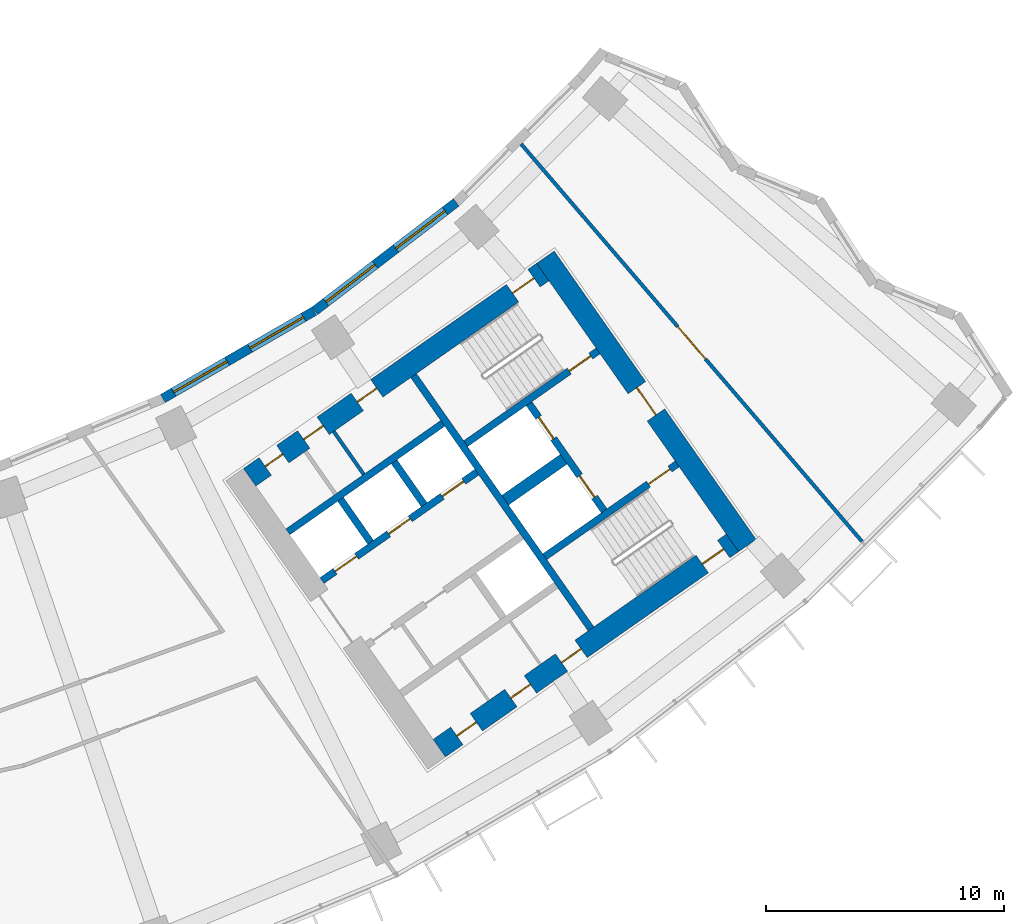
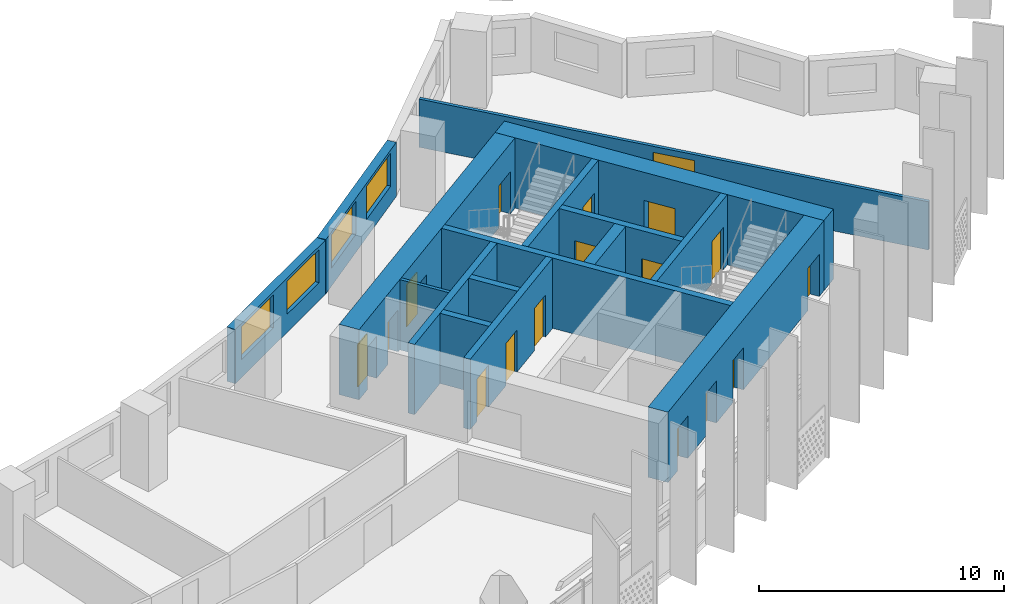
# One storey, part 7 of 30: 17 doors, 16 walls, 4 windows, 21 openings.
"""IFC4 building model written with IfcOpenShell, lengths in metres."""

from ifc_helpers import new_model, si_unit, direction, frame, frame_2d, origin, place, context, subcontext, project, spatial, rectangle, extrude, material, layer, layer_set, type_object, element, fill, save


model = new_model("IFC4")

# Units and contexts
model_context = context("Model", 3, precision=1e-05, world=origin(), true_north=direction((0.0, 1.0)))
body_context = subcontext(model_context, "Body", "Model", "MODEL_VIEW")
ifc_project = project(units=[si_unit("LENGTHUNIT", "METRE"), si_unit("AREAUNIT", "SQUARE_METRE"), si_unit("VOLUMEUNIT", "CUBIC_METRE"), si_unit("PLANEANGLEUNIT", "RADIAN"), si_unit("MASSUNIT", "GRAM", prefix="KILO")], contexts=[model_context])

# Site, building, storey
site_placement = place(None, origin())
site = spatial("IfcSite", under=ifc_project, at=site_placement, CompositionType="ELEMENT")
building_placement = place(site_placement, origin())
building = spatial("IfcBuilding", under=site, at=building_placement, Name="Qamariyya Broadcast Tower", CompositionType="ELEMENT")
storey_placement = place(building_placement, frame((0.0, 0.0, 102.5)))
storey = spatial("IfcBuildingStorey", under=building, at=storey_placement, Name="L22", CompositionType="ELEMENT", Elevation=102.5)

# Wall, opening, door
ifc_material_1 = material(Name="Concrete C70/85", Category="concrete")
ifc_layer_1 = layer(ifc_material_1, 0.89990234375)
ifc_layer_set_1 = layer_set([ifc_layer_1], Name="Core wall 900 mm Concrete C70/85")
wall_type_1 = type_object("IfcWallType", Name="Core wall 900 mm Concrete C70/85", PredefinedType="SHEAR", material=ifc_layer_set_1)
wall_1_placement = place(storey_placement, frame((49.778564453125, -57.191162109375, 0.0), z_axis=(0.0, 0.0, 1.0), x_axis=(-0.573577477574, 0.819151315216, 0.0)))
wall_1 = element("IfcWall", 1, at=wall_1_placement, inside=storey, type_object=wall_type_1, Name="k-E-L22-WH", PredefinedType="SHEAR", context=body_context, shape_type="SweptSolid", body=[
    extrude(rectangle(XDim=14.800048828125, YDim=0.89990234375, at=frame_2d((7.39990234375, 0.0))), origin(), (0.0, 0.0, 1.0), 3.5),
])
opening_1_placement = place(wall_1_placement, frame((6.699951171875, 0.0, 0.0)))
opening_1 = element("IfcOpeningElement", 2, at=opening_1_placement, cuts=wall_1, Name="Opening KD2-E1", PredefinedType="OPENING", context=body_context, shape_type="SweptSolid", body=[
    extrude(rectangle(XDim=1.39990234375, YDim=2.10009765625, at=frame_2d((0.699951171875, 1.050048828125))), frame((0.0, 0.4599609375, 0.0), z_axis=(0.0, -1.0, 0.0), x_axis=(1.0, 0.0, 0.0)), (0.0, 0.0, 1.0), 0.919921875),
])
ifc_material_2 = material(Name="Steel fire-resisting door leaf", Category="steel")
door_type_1 = type_object("IfcDoorType", Name="Fire-fighting lobby door KD2", OperationType="DOUBLE_DOOR_SINGLE_SWING", PredefinedType="DOOR", material=ifc_material_2)
door_1_placement = place(opening_1_placement, origin())
door_1 = element("IfcDoor", 3, at=door_1_placement, inside=storey, type_object=door_type_1, Name="k-E-L22-WH-D15", OperationType="DOUBLE_DOOR_SINGLE_SWING", OverallHeight=2.10009765625, OverallWidth=1.39990234375, PredefinedType="DOOR", context=body_context, shape_type="SweptSolid", body=[
    extrude(rectangle(XDim=1.39990234375, YDim=2.10009765625, at=frame_2d((0.699951171875, 1.050048828125))), frame((0.0, 0.02490234375, 0.0), z_axis=(0.0, -1.0, 0.0), x_axis=(1.0, 0.0, 0.0)), (0.0, 0.0, 1.0), 0.050048828125),
])
fill(opening_1, door_1)

# Wall, openings, doors
wall_2_placement = place(storey_placement, frame((28.8544921875, -54.32421875, 0.0), z_axis=(0.0, 0.0, 1.0), x_axis=(0.819145767589, 0.573585400304, 0.0)))
wall_2 = element("IfcWall", 4, at=wall_2_placement, inside=storey, type_object=wall_type_1, Name="k-E-L22-WI", PredefinedType="SHEAR", context=body_context, shape_type="SweptSolid", body=[
    extrude(rectangle(XDim=15.04541015625, YDim=0.89990234375, at=frame_2d((7.522705078125, 0.0))), origin(), (0.0, 0.0, 1.0), 3.5),
])
opening_2_placement = place(wall_2_placement, frame((0.800048828125, 0.0, 0.0)))
opening_2 = element("IfcOpeningElement", 5, at=opening_2_placement, cuts=wall_2, Name="Opening KD5-E1", PredefinedType="OPENING", context=body_context, shape_type="SweptSolid", body=[
    extrude(rectangle(XDim=0.89990234375, YDim=2.10009765625, at=frame_2d((0.449951171875, 1.050048828125))), frame((0.0, 0.4599609375, 0.0), z_axis=(0.0, -1.0, 0.0), x_axis=(1.0, 0.0, 0.0)), (0.0, 0.0, 1.0), 0.919921875),
])
opening_3_placement = place(wall_2_placement, frame((2.77490234375, 0.0, 0.0)))
opening_3 = element("IfcOpeningElement", 6, at=opening_3_placement, cuts=wall_2, Name="Opening KD7-E1", PredefinedType="OPENING", context=body_context, shape_type="SweptSolid", body=[
    extrude(rectangle(XDim=1.0, YDim=2.10009765625, at=frame_2d((0.5, 1.050048828125))), frame((0.0, 0.4599609375, 0.0), z_axis=(0.0, -1.0, 0.0), x_axis=(1.0, 0.0, 0.0)), (0.0, 0.0, 1.0), 0.919921875),
])
opening_4_placement = place(wall_2_placement, frame((5.52490234375, 0.0, 0.0)))
opening_4 = element("IfcOpeningElement", 7, at=opening_4_placement, cuts=wall_2, Name="Opening KD6-E2", PredefinedType="OPENING", context=body_context, shape_type="SweptSolid", body=[
    extrude(rectangle(XDim=1.0, YDim=2.10009765625, at=frame_2d((0.5, 1.050048828125))), frame((0.0, 0.4599609375, 0.0), z_axis=(0.0, -1.0, 0.0), x_axis=(1.0, 0.0, 0.0)), (0.0, 0.0, 1.0), 0.919921875),
])
opening_5_placement = place(wall_2_placement, frame((13.495361328125, 0.0, 0.0)))
opening_5 = element("IfcOpeningElement", 8, at=opening_5_placement, cuts=wall_2, Name="Opening KD1-E1", PredefinedType="OPENING", context=body_context, shape_type="SweptSolid", body=[
    extrude(rectangle(XDim=1.10009765625, YDim=2.10009765625, at=frame_2d((0.550048828125, 1.050048828125))), frame((0.0, 0.4599609375, 0.0), z_axis=(0.0, -1.0, 0.0), x_axis=(1.0, 0.0, 0.0)), (0.0, 0.0, 1.0), 0.919921875),
])
door_type_2 = type_object("IfcDoorType", Name="Accessible toilet door KD7", OperationType="SINGLE_SWING_LEFT", PredefinedType="DOOR", material=ifc_material_2)
door_2_placement = place(opening_3_placement, origin())
door_2 = element("IfcDoor", 9, at=door_2_placement, inside=storey, type_object=door_type_2, Name="k-E-L22-WI-D8", OperationType="SINGLE_SWING_RIGHT", OverallHeight=2.10009765625, OverallWidth=1.0, PredefinedType="DOOR", context=body_context, shape_type="SweptSolid", body=[
    extrude(rectangle(XDim=1.0, YDim=2.10009765625, at=frame_2d((0.5, 1.050048828125))), frame((0.0, 0.02490234375, 0.0), z_axis=(0.0, -1.0, 0.0), x_axis=(1.0, 0.0, 0.0)), (0.0, 0.0, 1.0), 0.050048828125),
])
fill(opening_3, door_2)
door_type_3 = type_object("IfcDoorType", Name="Core room door KD6", OperationType="SINGLE_SWING_LEFT", PredefinedType="DOOR", material=ifc_material_2)
door_3_placement = place(opening_4_placement, origin())
door_3 = element("IfcDoor", 10, at=door_3_placement, inside=storey, type_object=door_type_3, Name="k-E-L22-WI-D9", OperationType="SINGLE_SWING_LEFT", OverallHeight=2.10009765625, OverallWidth=1.0, PredefinedType="DOOR", context=body_context, shape_type="SweptSolid", body=[
    extrude(rectangle(XDim=1.0, YDim=2.10009765625, at=frame_2d((0.5, 1.050048828125))), frame((0.0, 0.02490234375, 0.0), z_axis=(0.0, -1.0, 0.0), x_axis=(1.0, 0.0, 0.0)), (0.0, 0.0, 1.0), 0.050048828125),
])
fill(opening_4, door_3)
door_type_4 = type_object("IfcDoorType", Name="Stair door KD1", OperationType="SINGLE_SWING_LEFT", PredefinedType="DOOR", material=ifc_material_2)
door_4_placement = place(opening_5_placement, origin())
door_4 = element("IfcDoor", 11, at=door_4_placement, inside=storey, type_object=door_type_4, Name="k-E-L22-WI-D16", OperationType="SINGLE_SWING_RIGHT", OverallHeight=2.10009765625, OverallWidth=1.10009765625, PredefinedType="DOOR", context=body_context, shape_type="SweptSolid", body=[
    extrude(rectangle(XDim=1.10009765625, YDim=2.10009765625, at=frame_2d((0.550048828125, 1.050048828125))), frame((0.0, 0.02490234375, 0.0), z_axis=(0.0, -1.0, 0.0), x_axis=(1.0, 0.0, 0.0)), (0.0, 0.0, 1.0), 0.050048828125),
])
fill(opening_5, door_4)
door_type_5 = type_object("IfcDoorType", Name="Toilet door KD5", OperationType="SINGLE_SWING_LEFT", PredefinedType="DOOR", material=ifc_material_2)
door_5_placement = place(opening_2_placement, origin())
door_5 = element("IfcDoor", 12, at=door_5_placement, inside=storey, type_object=door_type_5, Name="k-E-L22-WI-D7", OperationType="SINGLE_SWING_LEFT", OverallHeight=2.10009765625, OverallWidth=0.89990234375, PredefinedType="DOOR", context=body_context, shape_type="SweptSolid", body=[
    extrude(rectangle(XDim=0.89990234375, YDim=2.10009765625, at=frame_2d((0.449951171875, 1.050048828125))), frame((0.0, 0.02490234375, 0.0), z_axis=(0.0, -1.0, 0.0), x_axis=(1.0, 0.0, 0.0)), (0.0, 0.0, 1.0), 0.050048828125),
])
fill(opening_2, door_5)

wall_3_placement = place(storey_placement, frame((36.827392578125, -65.710205078125, 0.0), z_axis=(0.0, 0.0, 1.0), x_axis=(0.819153391756, 0.573574511963, 0.0)))
wall_3 = element("IfcWall", 13, at=wall_3_placement, inside=storey, type_object=wall_type_1, Name="k-E-L22-WO", PredefinedType="SHEAR", context=body_context, shape_type="SweptSolid", body=[
    extrude(rectangle(XDim=15.04541015625, YDim=0.89990234375, at=frame_2d((7.522705078125, 0.0))), origin(), (0.0, 0.0, 1.0), 3.5),
])
opening_6_placement = place(wall_3_placement, frame((0.89990234375, 0.0, 0.0)))
opening_6 = element("IfcOpeningElement", 14, at=opening_6_placement, cuts=wall_3, Name="Opening KD4-E2", PredefinedType="OPENING", context=body_context, shape_type="SweptSolid", body=[
    extrude(rectangle(XDim=1.0, YDim=2.10009765625, at=frame_2d((0.5, 1.050048828125))), frame((0.0, 0.4599609375, 0.0), z_axis=(0.0, -1.0, 0.0), x_axis=(1.0, 0.0, 0.0)), (0.0, 0.0, 1.0), 0.919921875),
])
opening_7_placement = place(wall_3_placement, frame((3.675048828125, 0.0, 0.0)))
opening_7 = element("IfcOpeningElement", 15, at=opening_7_placement, cuts=wall_3, Name="Opening KD4-E3", PredefinedType="OPENING", context=body_context, shape_type="SweptSolid", body=[
    extrude(rectangle(XDim=1.0, YDim=2.10009765625, at=frame_2d((0.5, 1.050048828125))), frame((0.0, 0.4599609375, 0.0), z_axis=(0.0, -1.0, 0.0), x_axis=(1.0, 0.0, 0.0)), (0.0, 0.0, 1.0), 0.919921875),
])
opening_8_placement = place(wall_3_placement, frame((6.27490234375, 0.0, 0.0)))
opening_8 = element("IfcOpeningElement", 16, at=opening_8_placement, cuts=wall_3, Name="Opening KD4-E4", PredefinedType="OPENING", context=body_context, shape_type="SweptSolid", body=[
    extrude(rectangle(XDim=1.0, YDim=2.10009765625, at=frame_2d((0.5, 1.050048828125))), frame((0.0, 0.4599609375, 0.0), z_axis=(0.0, -1.0, 0.0), x_axis=(1.0, 0.0, 0.0)), (0.0, 0.0, 1.0), 0.919921875),
])
opening_9_placement = place(wall_3_placement, frame((13.495361328125, 0.0, 0.0)))
opening_9 = element("IfcOpeningElement", 17, at=opening_9_placement, cuts=wall_3, Name="Opening KD1-E3", PredefinedType="OPENING", context=body_context, shape_type="SweptSolid", body=[
    extrude(rectangle(XDim=1.10009765625, YDim=2.10009765625, at=frame_2d((0.550048828125, 1.050048828125))), frame((0.0, 0.4599609375, 0.0), z_axis=(0.0, -1.0, 0.0), x_axis=(1.0, 0.0, 0.0)), (0.0, 0.0, 1.0), 0.919921875),
])
door_type_6 = type_object("IfcDoorType", Name="Riser and plant door KD4", OperationType="SINGLE_SWING_LEFT", PredefinedType="DOOR", material=ifc_material_2)
door_6_placement = place(opening_6_placement, origin())
door_6 = element("IfcDoor", 18, at=door_6_placement, inside=storey, type_object=door_type_6, Name="k-E-L22-WO-D10", OperationType="SINGLE_SWING_RIGHT", OverallHeight=2.10009765625, OverallWidth=1.0, PredefinedType="DOOR", context=body_context, shape_type="SweptSolid", body=[
    extrude(rectangle(XDim=1.0, YDim=2.10009765625, at=frame_2d((0.5, 1.050048828125))), frame((0.0, 0.02490234375, 0.0), z_axis=(0.0, -1.0, 0.0), x_axis=(1.0, 0.0, 0.0)), (0.0, 0.0, 1.0), 0.050048828125),
])
fill(opening_6, door_6)
door_7_placement = place(opening_7_placement, origin())
door_7 = element("IfcDoor", 19, at=door_7_placement, inside=storey, type_object=door_type_6, Name="k-E-L22-WO-D11", OperationType="SINGLE_SWING_LEFT", OverallHeight=2.10009765625, OverallWidth=1.0, PredefinedType="DOOR", context=body_context, shape_type="SweptSolid", body=[
    extrude(rectangle(XDim=1.0, YDim=2.10009765625, at=frame_2d((0.5, 1.050048828125))), frame((0.0, 0.02490234375, 0.0), z_axis=(0.0, -1.0, 0.0), x_axis=(1.0, 0.0, 0.0)), (0.0, 0.0, 1.0), 0.050048828125),
])
fill(opening_7, door_7)
door_8_placement = place(opening_8_placement, origin())
door_8 = element("IfcDoor", 20, at=door_8_placement, inside=storey, type_object=door_type_6, Name="k-E-L22-WO-D12", OperationType="SINGLE_SWING_RIGHT", OverallHeight=2.10009765625, OverallWidth=1.0, PredefinedType="DOOR", context=body_context, shape_type="SweptSolid", body=[
    extrude(rectangle(XDim=1.0, YDim=2.10009765625, at=frame_2d((0.5, 1.050048828125))), frame((0.0, 0.02490234375, 0.0), z_axis=(0.0, -1.0, 0.0), x_axis=(1.0, 0.0, 0.0)), (0.0, 0.0, 1.0), 0.050048828125),
])
fill(opening_8, door_8)
door_9_placement = place(opening_9_placement, origin())
door_9 = element("IfcDoor", 21, at=door_9_placement, inside=storey, type_object=door_type_4, Name="k-E-L22-WO-D18", OperationType="SINGLE_SWING_LEFT", OverallHeight=2.10009765625, OverallWidth=1.10009765625, PredefinedType="DOOR", context=body_context, shape_type="SweptSolid", body=[
    extrude(rectangle(XDim=1.10009765625, YDim=2.10009765625, at=frame_2d((0.550048828125, 1.050048828125))), frame((0.0, 0.02490234375, 0.0), z_axis=(0.0, -1.0, 0.0), x_axis=(1.0, 0.0, 0.0)), (0.0, 0.0, 1.0), 0.050048828125),
])
fill(opening_9, door_9)

# Wall, opening, door
ifc_material_3 = material(Name="Gypsum board partition")
ifc_layer_2 = layer(ifc_material_3, 0.14990234375)
ifc_layer_set_2 = layer_set([ifc_layer_2], Name="Corridor partition 150 EI 60")
wall_type_2 = type_object("IfcWallType", Name="Corridor partition 150 EI 60", PredefinedType="PARTITIONING", material=ifc_layer_set_2)
wall_4_placement = place(storey_placement, frame((40.267578125, -40.310791015625, 0.0), z_axis=(0.0, 0.0, 1.0), x_axis=(0.650987681244, -0.759088294514, 0.0)))
wall_4 = element("IfcWall", 22, at=wall_4_placement, inside=storey, type_object=wall_type_2, Name="Partition L22-026", PredefinedType="PARTITIONING", context=body_context, shape_type="SweptSolid", body=[
    extrude(rectangle(XDim=22.017822265625, YDim=0.14990234375, at=frame_2d((11.0087890625, 0.0))), origin(), (0.0, 0.0, 1.0), 2.39990234375),
])
opening_10_placement = place(wall_4_placement, frame((10.10888671875, 0.0, 0.0)))
opening_10 = element("IfcOpeningElement", 23, at=opening_10_placement, cuts=wall_4, Name="Opening L22-D12", PredefinedType="OPENING", context=body_context, shape_type="SweptSolid", body=[
    extrude(rectangle(XDim=1.800048828125, YDim=2.10009765625, at=frame_2d((0.89990234375, 1.050048828125))), frame((0.0, 0.0849609375, 0.0), z_axis=(0.0, -1.0, 0.0), x_axis=(1.0, 0.0, 0.0)), (0.0, 0.0, 1.0), 0.169921875),
])
ifc_material_4 = material(Name="Timber fire door leaf", Category="wood")
door_type_7 = type_object("IfcDoorType", Name="Double fire door 1800 x 2100 FD60", OperationType="NOTDEFINED", PredefinedType="DOOR", material=ifc_material_4)
door_10_placement = place(opening_10_placement, origin())
door_10 = element("IfcDoor", 24, at=door_10_placement, inside=storey, type_object=door_type_7, Name="Door L22-D12", OperationType="DOUBLE_DOOR_SINGLE_SWING", OverallHeight=2.10009765625, OverallWidth=1.800048828125, PredefinedType="DOOR", context=body_context, shape_type="SweptSolid", body=[
    extrude(rectangle(XDim=1.800048828125, YDim=2.10009765625, at=frame_2d((0.89990234375, 1.050048828125))), frame((0.0, 0.02490234375, 0.0), z_axis=(0.0, -1.0, 0.0), x_axis=(1.0, 0.0, 0.0)), (0.0, 0.0, 1.0), 0.050048828125),
])
fill(opening_10, door_10)

# Walls
ifc_material_5 = material(Name="Concrete C60/75", Category="concrete")
ifc_layer_3 = layer(ifc_material_5, 0.5)
ifc_layer_set_3 = layer_set([ifc_layer_3], Name="Fire-fighting lobby divider wall 500 mm Concrete C60/75")
wall_type_3 = type_object("IfcWallType", Name="Fire-fighting lobby divider wall 500 mm Concrete C60/75", PredefinedType="SOLIDWALL", material=ifc_layer_set_3)
wall_5_placement = place(storey_placement, frame((39.59912109375, -55.28515625, 0.0), z_axis=(0.0, 0.0, 1.0), x_axis=(0.819136323161, 0.573598887793, 0.0)))
element("IfcWall", 25, at=wall_5_placement, inside=storey, type_object=wall_type_3, Name="k-E-L22-FD", PredefinedType="SOLIDWALL", context=body_context, shape_type="SweptSolid", body=[
    extrude(rectangle(XDim=2.999755859375, YDim=0.5, at=frame_2d((1.5, 0.0))), origin(), (0.0, 0.0, 1.0), 3.5),
])
ifc_material_6 = material(Name="Gypsum board partition on steel studs", Category="steel")
ifc_layer_4 = layer(ifc_material_6, 0.14990234375)
ifc_layer_set_4 = layer_set([ifc_layer_4], Name="Gypsum board partition 150 mm")
wall_type_4 = type_object("IfcWallType", Name="Gypsum board partition 150 mm", PredefinedType="PARTITIONING", material=ifc_layer_set_4)
wall_6_placement = place(storey_placement, frame((33.651123046875, -54.200439453125, 0.0), z_axis=(0.0, 0.0, 1.0), x_axis=(-0.573559170999, 0.819164133348, 0.0)))
element("IfcWall", 26, at=wall_6_placement, inside=storey, type_object=wall_type_4, Name="k-E-L22-NP400", PredefinedType="PARTITIONING", context=body_context, shape_type="SweptSolid", body=[
    extrude(rectangle(XDim=2.19970703125, YDim=0.14990234375, at=frame_2d((1.099853515625, 0.0))), origin(), (0.0, 0.0, 1.0), 3.5),
])
ifc_layer_5 = layer(ifc_material_5, 0.300048828125)
ifc_layer_set_5 = layer_set([ifc_layer_5], Name="Lift shaft wall 300 mm Concrete C60/75")
wall_type_5 = type_object("IfcWallType", Name="Lift shaft wall 300 mm Concrete C60/75", PredefinedType="SOLIDWALL", material=ifc_layer_set_5)
wall_7_placement = place(storey_placement, frame((43.204345703125, -60.69580078125, 0.0), z_axis=(0.0, 0.0, 1.0), x_axis=(-0.573571992966, 0.819155155563, 0.0)))
element("IfcWall", 27, at=wall_7_placement, inside=storey, type_object=wall_type_5, Name="k-E-L22-WL", PredefinedType="SOLIDWALL", context=body_context, shape_type="SweptSolid", body=[
    extrude(rectangle(XDim=13.000244140625, YDim=0.300048828125, at=frame_2d((6.5, 0.0))), origin(), (0.0, 0.0, 1.0), 3.5),
])

# Wall, openings, doors
wall_8_placement = place(storey_placement, frame((31.89453125, -58.66552734375, 0.0), z_axis=(0.0, 0.0, 1.0), x_axis=(0.819166993208, 0.573555086491, 0.0)))
wall_8 = element("IfcWall", 28, at=wall_8_placement, inside=storey, type_object=wall_type_5, Name="k-E-L22-NF0", PredefinedType="SOLIDWALL", context=body_context, shape_type="SweptSolid", body=[
    extrude(rectangle(XDim=7.9501953125, YDim=0.300048828125, at=frame_2d((3.97509765625, 0.0))), origin(), (0.0, 0.0, 1.0), 3.5),
])
opening_11_placement = place(wall_8_placement, frame((0.675048828125, 0.0, 0.0)))
opening_11 = element("IfcOpeningElement", 29, at=opening_11_placement, cuts=wall_8, Name="Opening LD", PredefinedType="OPENING", context=body_context, shape_type="SweptSolid", body=[
    extrude(rectangle(XDim=1.10009765625, YDim=2.10009765625, at=frame_2d((0.550048828125, 1.050048828125))), frame((0.0, 0.159912109375, 0.0), z_axis=(0.0, -1.0, 0.0), x_axis=(1.0, 0.0, 0.0)), (0.0, 0.0, 1.0), 0.320068359375),
])
opening_12_placement = place(wall_8_placement, frame((3.425048828125, 0.0, 0.0)))
opening_12 = element("IfcOpeningElement", 30, at=opening_12_placement, cuts=wall_8, Name="Opening LD", PredefinedType="OPENING", context=body_context, shape_type="SweptSolid", body=[
    extrude(rectangle(XDim=1.10009765625, YDim=2.10009765625, at=frame_2d((0.550048828125, 1.050048828125))), frame((0.0, 0.159912109375, 0.0), z_axis=(0.0, -1.0, 0.0), x_axis=(1.0, 0.0, 0.0)), (0.0, 0.0, 1.0), 0.320068359375),
])
opening_13_placement = place(wall_8_placement, frame((6.175048828125, 0.0, 0.0)))
opening_13 = element("IfcOpeningElement", 31, at=opening_13_placement, cuts=wall_8, Name="Opening LD", PredefinedType="OPENING", context=body_context, shape_type="SweptSolid", body=[
    extrude(rectangle(XDim=1.10009765625, YDim=2.10009765625, at=frame_2d((0.550048828125, 1.050048828125))), frame((0.0, 0.159912109375, 0.0), z_axis=(0.0, -1.0, 0.0), x_axis=(1.0, 0.0, 0.0)), (0.0, 0.0, 1.0), 0.320068359375),
])
door_type_8 = type_object("IfcDoorType", Name="Lift landing door LD", OperationType="DOUBLE_DOOR_SLIDING", PredefinedType="DOOR", material=ifc_material_2)
door_11_placement = place(opening_11_placement, origin())
door_11 = element("IfcDoor", 32, at=door_11_placement, inside=storey, type_object=door_type_8, Name="k-E-L22-NF0-D2", OperationType="DOUBLE_DOOR_SLIDING", OverallHeight=2.10009765625, OverallWidth=1.10009765625, PredefinedType="DOOR", context=body_context, shape_type="SweptSolid", body=[
    extrude(rectangle(XDim=1.10009765625, YDim=2.10009765625, at=frame_2d((0.550048828125, 1.050048828125))), frame((0.0, 0.02490234375, 0.0), z_axis=(0.0, -1.0, 0.0), x_axis=(1.0, 0.0, 0.0)), (0.0, 0.0, 1.0), 0.050048828125),
])
fill(opening_11, door_11)
door_12_placement = place(opening_12_placement, origin())
door_12 = element("IfcDoor", 33, at=door_12_placement, inside=storey, type_object=door_type_8, Name="k-E-L22-NF0-D3", OperationType="DOUBLE_DOOR_SLIDING", OverallHeight=2.10009765625, OverallWidth=1.10009765625, PredefinedType="DOOR", context=body_context, shape_type="SweptSolid", body=[
    extrude(rectangle(XDim=1.10009765625, YDim=2.10009765625, at=frame_2d((0.550048828125, 1.050048828125))), frame((0.0, 0.02490234375, 0.0), z_axis=(0.0, -1.0, 0.0), x_axis=(1.0, 0.0, 0.0)), (0.0, 0.0, 1.0), 0.050048828125),
])
fill(opening_12, door_12)
door_13_placement = place(opening_13_placement, origin())
door_13 = element("IfcDoor", 34, at=door_13_placement, inside=storey, type_object=door_type_8, Name="k-E-L22-NF0-D4", OperationType="DOUBLE_DOOR_SLIDING", OverallHeight=2.10009765625, OverallWidth=1.10009765625, PredefinedType="DOOR", context=body_context, shape_type="SweptSolid", body=[
    extrude(rectangle(XDim=1.10009765625, YDim=2.10009765625, at=frame_2d((0.550048828125, 1.050048828125))), frame((0.0, 0.02490234375, 0.0), z_axis=(0.0, -1.0, 0.0), x_axis=(1.0, 0.0, 0.0)), (0.0, 0.0, 1.0), 0.050048828125),
])
fill(opening_13, door_13)

# Walls
wall_9_placement = place(storey_placement, frame((30.460693359375, -56.61767578125, 0.0), z_axis=(0.0, 0.0, 1.0), x_axis=(0.819142461705, 0.573590121456, 0.0)))
element("IfcWall", 35, at=wall_9_placement, inside=storey, type_object=wall_type_5, Name="k-E-L22-NB0", PredefinedType="SOLIDWALL", context=body_context, shape_type="SweptSolid", body=[
    extrude(rectangle(XDim=7.949951171875, YDim=0.300048828125, at=frame_2d((3.97509765625, 0.0))), origin(), (0.0, 0.0, 1.0), 3.5),
])
wall_10_placement = place(storey_placement, frame((33.9384765625, -57.051513671875, 0.0), z_axis=(0.0, 0.0, 1.0), x_axis=(-0.573581496053, 0.819148501424, 0.0)))
element("IfcWall", 36, at=wall_10_placement, inside=storey, type_object=wall_type_5, Name="k-E-L22-ND0", PredefinedType="SOLIDWALL", context=body_context, shape_type="SweptSolid", body=[
    extrude(rectangle(XDim=2.2001953125, YDim=0.300048828125, at=frame_2d((1.10009765625, 0.0))), origin(), (0.0, 0.0, 1.0), 3.5),
])
wall_11_placement = place(storey_placement, frame((36.19091796875, -55.47412109375, 0.0), z_axis=(0.0, 0.0, 1.0), x_axis=(-0.573507030513, 0.819200638399, 0.0)))
element("IfcWall", 37, at=wall_11_placement, inside=storey, type_object=wall_type_5, Name="k-E-L22-ND1", PredefinedType="SOLIDWALL", context=body_context, shape_type="SweptSolid", body=[
    extrude(rectangle(XDim=2.199951171875, YDim=0.300048828125, at=frame_2d((1.10009765625, 0.0))), origin(), (0.0, 0.0, 1.0), 3.5),
])

# Wall, opening, door
wall_12_placement = place(storey_placement, frame((37.935546875, -52.90966796875, 0.0), z_axis=(0.0, 0.0, 1.0), x_axis=(0.819147518138, 0.57358290031, 0.0)))
wall_12 = element("IfcWall", 38, at=wall_12_placement, inside=storey, type_object=wall_type_5, Name="k-E-L22-NW", PredefinedType="SOLIDWALL", context=body_context, shape_type="SweptSolid", body=[
    extrude(rectangle(XDim=6.79541015625, YDim=0.300048828125, at=frame_2d((3.397705078125, 0.0))), origin(), (0.0, 0.0, 1.0), 3.5),
])
opening_14_placement = place(wall_12_placement, frame((5.3203125, 0.0, 0.0)))
opening_14 = element("IfcOpeningElement", 39, at=opening_14_placement, cuts=wall_12, Name="Opening KD1-E2", PredefinedType="OPENING", context=body_context, shape_type="SweptSolid", body=[
    extrude(rectangle(XDim=1.10009765625, YDim=2.10009765625, at=frame_2d((0.550048828125, 1.050048828125))), frame((0.0, 0.159912109375, 0.0), z_axis=(0.0, -1.0, 0.0), x_axis=(1.0, 0.0, 0.0)), (0.0, 0.0, 1.0), 0.320068359375),
])
door_14_placement = place(opening_14_placement, origin())
door_14 = element("IfcDoor", 40, at=door_14_placement, inside=storey, type_object=door_type_4, Name="k-E-L22-NW-D17", OperationType="SINGLE_SWING_LEFT", OverallHeight=2.10009765625, OverallWidth=1.10009765625, PredefinedType="DOOR", context=body_context, shape_type="SweptSolid", body=[
    extrude(rectangle(XDim=1.10009765625, YDim=2.10009765625, at=frame_2d((0.550048828125, 1.050048828125))), frame((0.0, 0.02490234375, 0.0), z_axis=(0.0, -1.0, 0.0), x_axis=(1.0, 0.0, 0.0)), (0.0, 0.0, 1.0), 0.050048828125),
])
fill(opening_14, door_14)

wall_13_placement = place(storey_placement, frame((41.262451171875, -57.66064453125, 0.0), z_axis=(0.0, 0.0, 1.0), x_axis=(0.819164398642, 0.573558792102, 0.0)))
wall_13 = element("IfcWall", 41, at=wall_13_placement, inside=storey, type_object=wall_type_5, Name="k-E-L22-SW", PredefinedType="SOLIDWALL", context=body_context, shape_type="SweptSolid", body=[
    extrude(rectangle(XDim=6.795166015625, YDim=0.300048828125, at=frame_2d((3.3974609375, 0.0))), origin(), (0.0, 0.0, 1.0), 3.5),
])
opening_15_placement = place(wall_13_placement, frame((5.3203125, 0.0, 0.0)))
opening_15 = element("IfcOpeningElement", 42, at=opening_15_placement, cuts=wall_13, Name="Opening KD1-E4", PredefinedType="OPENING", context=body_context, shape_type="SweptSolid", body=[
    extrude(rectangle(XDim=1.10009765625, YDim=2.10009765625, at=frame_2d((0.550048828125, 1.050048828125))), frame((0.0, 0.159912109375, 0.0), z_axis=(0.0, -1.0, 0.0), x_axis=(1.0, 0.0, 0.0)), (0.0, 0.0, 1.0), 0.320068359375),
])
door_15_placement = place(opening_15_placement, origin())
door_15 = element("IfcDoor", 43, at=door_15_placement, inside=storey, type_object=door_type_4, Name="k-E-L22-SW-D19", OperationType="SINGLE_SWING_LEFT", OverallHeight=2.10009765625, OverallWidth=1.10009765625, PredefinedType="DOOR", context=body_context, shape_type="SweptSolid", body=[
    extrude(rectangle(XDim=1.10009765625, YDim=2.10009765625, at=frame_2d((0.550048828125, 1.050048828125))), frame((0.0, 0.02490234375, 0.0), z_axis=(0.0, -1.0, 0.0), x_axis=(1.0, 0.0, 0.0)), (0.0, 0.0, 1.0), 0.050048828125),
])
fill(opening_15, door_15)

# Wall, openings, doors
wall_14_placement = place(storey_placement, frame((43.756591796875, -55.731201171875, 0.0), z_axis=(0.0, 0.0, 1.0), x_axis=(-0.573536818435, 0.819179783625, 0.0)))
wall_14 = element("IfcWall", 44, at=wall_14_placement, inside=storey, type_object=wall_type_5, Name="k-E-L22-FF", PredefinedType="SOLIDWALL", context=body_context, shape_type="SweptSolid", body=[
    extrude(rectangle(XDim=5.500244140625, YDim=0.300048828125, at=frame_2d((2.75, 0.0))), origin(), (0.0, 0.0, 1.0), 3.5),
])
opening_16_placement = place(wall_14_placement, frame((0.699951171875, 0.0, 0.0)))
opening_16 = element("IfcOpeningElement", 45, at=opening_16_placement, cuts=wall_14, Name="Opening LD", PredefinedType="OPENING", context=body_context, shape_type="SweptSolid", body=[
    extrude(rectangle(XDim=1.10009765625, YDim=2.10009765625, at=frame_2d((0.550048828125, 1.050048828125))), frame((0.0, 0.159912109375, 0.0), z_axis=(0.0, -1.0, 0.0), x_axis=(1.0, 0.0, 0.0)), (0.0, 0.0, 1.0), 0.320068359375),
])
opening_17_placement = place(wall_14_placement, frame((3.699951171875, 0.0, 0.0)))
opening_17 = element("IfcOpeningElement", 46, at=opening_17_placement, cuts=wall_14, Name="Opening LD", PredefinedType="OPENING", context=body_context, shape_type="SweptSolid", body=[
    extrude(rectangle(XDim=1.10009765625, YDim=2.10009765625, at=frame_2d((0.550048828125, 1.050048828125))), frame((0.0, 0.159912109375, 0.0), z_axis=(0.0, -1.0, 0.0), x_axis=(1.0, 0.0, 0.0)), (0.0, 0.0, 1.0), 0.320068359375),
])
door_16_placement = place(opening_16_placement, origin())
door_16 = element("IfcDoor", 47, at=door_16_placement, inside=storey, type_object=door_type_8, Name="k-E-L22-FF-D13", OperationType="DOUBLE_DOOR_SLIDING", OverallHeight=2.10009765625, OverallWidth=1.10009765625, PredefinedType="DOOR", context=body_context, shape_type="SweptSolid", body=[
    extrude(rectangle(XDim=1.10009765625, YDim=2.10009765625, at=frame_2d((0.550048828125, 1.050048828125))), frame((0.0, 0.02490234375, 0.0), z_axis=(0.0, -1.0, 0.0), x_axis=(1.0, 0.0, 0.0)), (0.0, 0.0, 1.0), 0.050048828125),
])
fill(opening_16, door_16)
door_17_placement = place(opening_17_placement, origin())
door_17 = element("IfcDoor", 48, at=door_17_placement, inside=storey, type_object=door_type_8, Name="k-E-L22-FF-D14", OperationType="DOUBLE_DOOR_SLIDING", OverallHeight=2.10009765625, OverallWidth=1.10009765625, PredefinedType="DOOR", context=body_context, shape_type="SweptSolid", body=[
    extrude(rectangle(XDim=1.10009765625, YDim=2.10009765625, at=frame_2d((0.550048828125, 1.050048828125))), frame((0.0, 0.02490234375, 0.0), z_axis=(0.0, -1.0, 0.0), x_axis=(1.0, 0.0, 0.0)), (0.0, 0.0, 1.0), 0.050048828125),
])
fill(opening_17, door_17)

# Wall, openings, windows
ifc_material_7 = material(Name="Terracotta", Category="masonry")
ifc_layer_6 = layer(ifc_material_7, 0.39990234375)
ifc_layer_set_6 = layer_set([ifc_layer_6], Name="Terracotta clad wall 400")
wall_type_6 = type_object("IfcWallType", Name="Terracotta clad wall 400", PredefinedType="SOLIDWALL", material=ifc_layer_set_6)
wall_15_placement = place(storey_placement, frame((31.568359375, -47.33642578125, 0.0), z_axis=(0.0, 0.0, 1.0), x_axis=(-0.866030525931, -0.499991128077, 0.0)))
wall_15 = element("IfcWall", 49, at=wall_15_placement, inside=storey, type_object=wall_type_6, Name="e-wl-L22-in130", PredefinedType="SOLIDWALL", context=body_context, shape_type="SweptSolid", body=[
    extrude(rectangle(XDim=7.341552734375, YDim=0.39990234375, at=frame_2d((3.6708984375, 0.0))), origin(), (0.0, 0.0, 1.0), 2.699951171875),
])
opening_18_placement = place(wall_15_placement, frame((4.224853515625, 0.0, 0.89990234375)))
opening_18 = element("IfcOpeningElement", 50, at=opening_18_placement, cuts=wall_15, Name="Opening W1", PredefinedType="OPENING", context=body_context, shape_type="SweptSolid", body=[
    extrude(rectangle(XDim=2.60009765625, YDim=1.64990234375, at=frame_2d((1.300048828125, 0.824951171875))), frame((0.0, 0.2099609375, 0.0), z_axis=(0.0, -1.0, 0.0), x_axis=(1.0, 0.0, 0.0)), (0.0, 0.0, 1.0), 0.419921875),
])
opening_19_placement = place(wall_15_placement, frame((0.5166015625, 0.0, 0.89990234375)))
opening_19 = element("IfcOpeningElement", 51, at=opening_19_placement, cuts=wall_15, Name="Opening W1", PredefinedType="OPENING", context=body_context, shape_type="SweptSolid", body=[
    extrude(rectangle(XDim=2.60009765625, YDim=1.64990234375, at=frame_2d((1.300048828125, 0.824951171875))), frame((0.0, 0.2099609375, 0.0), z_axis=(0.0, -1.0, 0.0), x_axis=(1.0, 0.0, 0.0)), (0.0, 0.0, 1.0), 0.419921875),
])
ifc_material_8 = material(Name="Clear low-e double glazed unit in aluminium frame", Category="aluminium")
window_type = type_object("IfcWindowType", Name="Ribbon window 2600 x 1650", PartitioningType="SINGLE_PANEL", PredefinedType="WINDOW", material=ifc_material_8)
window_1_placement = place(opening_18_placement, origin())
window_1 = element("IfcWindow", 52, at=window_1_placement, inside=storey, type_object=window_type, Name="e-w-L22-in13-0", OverallHeight=1.64990234375, OverallWidth=2.60009765625, PartitioningType="SINGLE_PANEL", PredefinedType="WINDOW", context=body_context, shape_type="SweptSolid", body=[
    extrude(rectangle(XDim=2.60009765625, YDim=1.64990234375, at=frame_2d((1.300048828125, 0.824951171875))), frame((0.0, 0.030029296875, 0.0), z_axis=(0.0, -1.0, 0.0), x_axis=(1.0, 0.0, 0.0)), (0.0, 0.0, 1.0), 0.06005859375),
])
fill(opening_18, window_1)
window_2_placement = place(opening_19_placement, origin())
window_2 = element("IfcWindow", 53, at=window_2_placement, inside=storey, type_object=window_type, Name="e-w-L22-in13-1", OverallHeight=1.64990234375, OverallWidth=2.60009765625, PartitioningType="SINGLE_PANEL", PredefinedType="WINDOW", context=body_context, shape_type="SweptSolid", body=[
    extrude(rectangle(XDim=2.60009765625, YDim=1.64990234375, at=frame_2d((1.300048828125, 0.824951171875))), frame((0.0, 0.030029296875, 0.0), z_axis=(0.0, -1.0, 0.0), x_axis=(1.0, 0.0, 0.0)), (0.0, 0.0, 1.0), 0.06005859375),
])
fill(opening_19, window_2)

wall_16_placement = place(storey_placement, frame((37.536865234375, -42.764892578125, 0.0), z_axis=(0.0, 0.0, 1.0), x_axis=(-0.793363487476, -0.608748204711, 0.0)))
wall_16 = element("IfcWall", 54, at=wall_16_placement, inside=storey, type_object=wall_type_6, Name="e-wl-L22-in140", PredefinedType="SOLIDWALL", context=body_context, shape_type="SweptSolid", body=[
    extrude(rectangle(XDim=7.492919921875, YDim=0.39990234375, at=frame_2d((3.74658203125, 0.0))), origin(), (0.0, 0.0, 1.0), 2.699951171875),
])
opening_20_placement = place(wall_16_placement, frame((4.300537109375, 0.0, 0.89990234375)))
opening_20 = element("IfcOpeningElement", 55, at=opening_20_placement, cuts=wall_16, Name="Opening W1", PredefinedType="OPENING", context=body_context, shape_type="SweptSolid", body=[
    extrude(rectangle(XDim=2.60009765625, YDim=1.64990234375, at=frame_2d((1.300048828125, 0.824951171875))), frame((0.0, 0.2099609375, 0.0), z_axis=(0.0, -1.0, 0.0), x_axis=(1.0, 0.0, 0.0)), (0.0, 0.0, 1.0), 0.419921875),
])
opening_21_placement = place(wall_16_placement, frame((0.59228515625, 0.0, 0.89990234375)))
opening_21 = element("IfcOpeningElement", 56, at=opening_21_placement, cuts=wall_16, Name="Opening W1", PredefinedType="OPENING", context=body_context, shape_type="SweptSolid", body=[
    extrude(rectangle(XDim=2.60009765625, YDim=1.64990234375, at=frame_2d((1.300048828125, 0.824951171875))), frame((0.0, 0.2099609375, 0.0), z_axis=(0.0, -1.0, 0.0), x_axis=(1.0, 0.0, 0.0)), (0.0, 0.0, 1.0), 0.419921875),
])
window_3_placement = place(opening_20_placement, origin())
window_3 = element("IfcWindow", 57, at=window_3_placement, inside=storey, type_object=window_type, Name="e-w-L22-in14-0", OverallHeight=1.64990234375, OverallWidth=2.60009765625, PartitioningType="SINGLE_PANEL", PredefinedType="WINDOW", context=body_context, shape_type="SweptSolid", body=[
    extrude(rectangle(XDim=2.60009765625, YDim=1.64990234375, at=frame_2d((1.300048828125, 0.824951171875))), frame((0.0, 0.030029296875, 0.0), z_axis=(0.0, -1.0, 0.0), x_axis=(1.0, 0.0, 0.0)), (0.0, 0.0, 1.0), 0.06005859375),
])
fill(opening_20, window_3)
window_4_placement = place(opening_21_placement, origin())
window_4 = element("IfcWindow", 58, at=window_4_placement, inside=storey, type_object=window_type, Name="e-w-L22-in14-1", OverallHeight=1.64990234375, OverallWidth=2.60009765625, PartitioningType="SINGLE_PANEL", PredefinedType="WINDOW", context=body_context, shape_type="SweptSolid", body=[
    extrude(rectangle(XDim=2.60009765625, YDim=1.64990234375, at=frame_2d((1.300048828125, 0.824951171875))), frame((0.0, 0.030029296875, 0.0), z_axis=(0.0, -1.0, 0.0), x_axis=(1.0, 0.0, 0.0)), (0.0, 0.0, 1.0), 0.06005859375),
])
fill(opening_21, window_4)

save(model, "model.ifc")
